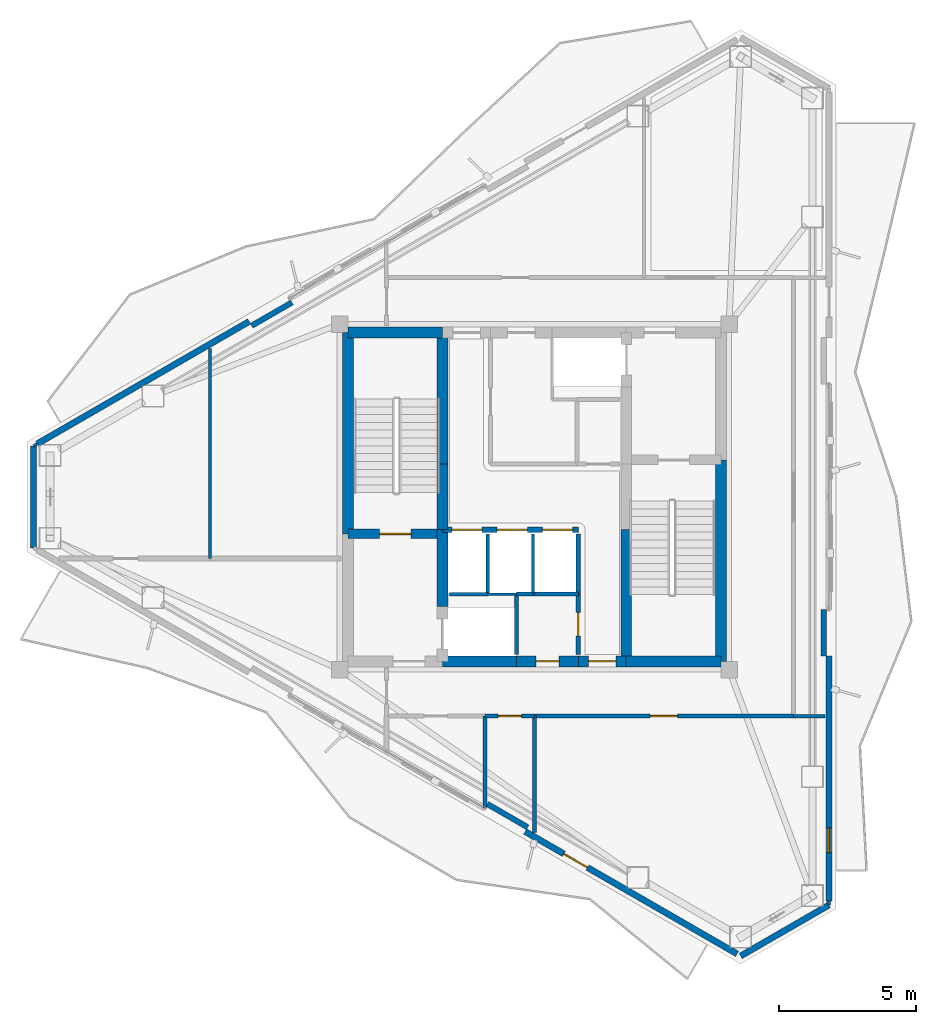
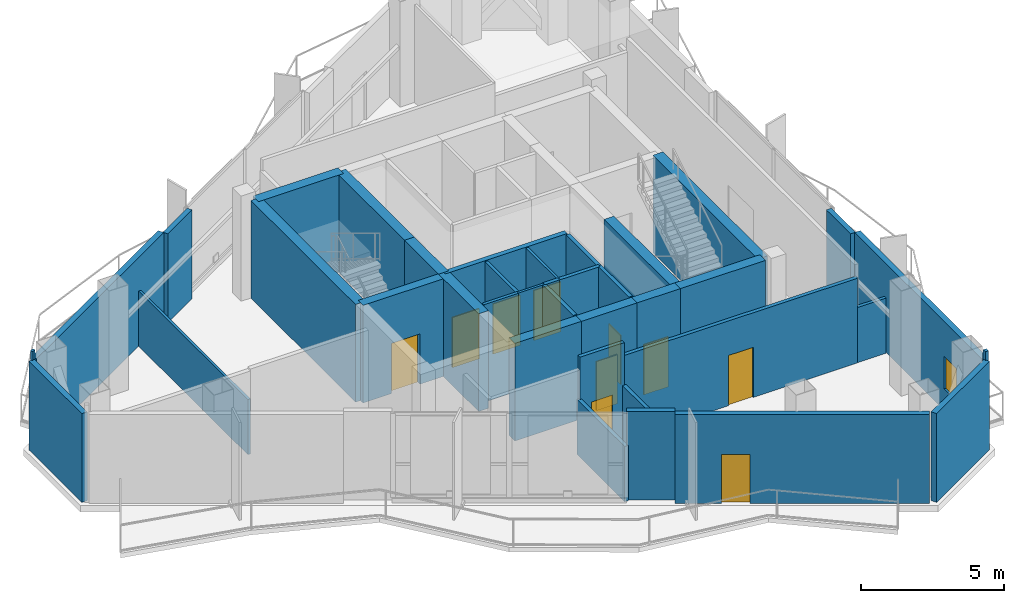
# One storey, part 10 of 14: 38 walls, 10 doors, 1 window, 11 openings.
"""IFC4 building model written with IfcOpenShell, lengths in metres."""

from ifc_helpers import new_model, si_unit, direction, frame, frame_2d, origin, place, context, subcontext, project, spatial, rectangle, extrude, material, layer, layer_set, type_object, element, fill, save


model = new_model("IFC4")

# Units and contexts
model_context = context("Model", 3, precision=1e-05, world=origin(), true_north=direction((0.0, 1.0)))
body_context = subcontext(model_context, "Body", "Model", "MODEL_VIEW")
ifc_project = project(units=[si_unit("LENGTHUNIT", "METRE"), si_unit("AREAUNIT", "SQUARE_METRE"), si_unit("VOLUMEUNIT", "CUBIC_METRE"), si_unit("PLANEANGLEUNIT", "RADIAN"), si_unit("MASSUNIT", "GRAM", prefix="KILO")], contexts=[model_context])

# Site, building, storey
site_placement = place(None, origin())
site = spatial("IfcSite", under=ifc_project, at=site_placement, CompositionType="ELEMENT")
building_placement = place(site_placement, origin())
building = spatial("IfcBuilding", under=site, at=building_placement, Name="Mersakhor Tower and Convention Hall", CompositionType="ELEMENT")
storey_placement = place(building_placement, frame((0.0, 0.0, 254.10009765625)))
storey = spatial("IfcBuildingStorey", under=building, at=storey_placement, Name="L71", CompositionType="ELEMENT", Elevation=254.10009765625)

# Walls
ifc_material_1 = material(Name="Precast concrete C40/50", Category="concrete")
ifc_layer_1 = layer(ifc_material_1, 0.22509765625)
ifc_layer_set_1 = layer_set([ifc_layer_1], Name="Precast concrete C40/50")
wall_type_1 = type_object("IfcWallType", Name="WL-EXT-225", PredefinedType="SOLIDWALL", material=ifc_layer_set_1)
wall_1_placement = place(storey_placement, frame((39.742919921875, 11.858154296875, 0.0), z_axis=(0.0, 0.0, 1.0), x_axis=(-0.866038962515, -0.499976514854, 0.0)))
element("IfcWall", 1, at=wall_1_placement, inside=storey, type_object=wall_type_1, Name="L71 Chamfer Braced Spandrel Wall C2", PredefinedType="SOLIDWALL", context=body_context, shape_type="SweptSolid", body=[
    extrude(rectangle(XDim=3.715576171875, YDim=0.22509765625, at=frame_2d((1.85791015625, 0.0))), origin(), (0.0, 0.0, 1.0), 3.7998046875),
])
wall_2_placement = place(storey_placement, frame((10.73193359375, 24.892333984375, 0.0), z_axis=(0.0, 0.0, 1.0), x_axis=(0.0, 1.0, 0.0)))
element("IfcWall", 2, at=wall_2_placement, inside=storey, type_object=wall_type_1, Name="L71 Chamfer Braced Spandrel Wall C3", PredefinedType="SOLIDWALL", context=body_context, shape_type="SweptSolid", body=[
    extrude(rectangle(XDim=3.71533203125, YDim=0.22509765625, at=frame_2d((1.857666015625, 0.0))), origin(), (0.0, 0.0, 1.0), 3.7998046875),
])
wall_3_placement = place(storey_placement, frame((10.86181640625, 28.6826171875, 0.0), z_axis=(0.0, 0.0, 1.0), x_axis=(0.866026655105, 0.499997832642, 0.0)))
element("IfcWall", 3, at=wall_3_placement, inside=storey, type_object=wall_type_1, Name="L71 Exterior Facade Wall F1-B1", PredefinedType="SOLIDWALL", context=body_context, shape_type="SweptSolid", body=[
    extrude(rectangle(XDim=8.927734375, YDim=0.22509765625, at=frame_2d((4.4638671875, 0.0))), origin(), (0.0, 0.0, 1.0), 3.7998046875),
])

# Wall, opening, window
wall_4_placement = place(storey_placement, frame((39.742919921875, 20.93603515625, 0.0), z_axis=(0.0, 0.0, 1.0), x_axis=(0.0, -1.0, 0.0)))
wall_4 = element("IfcWall", 4, at=wall_4_placement, inside=storey, type_object=wall_type_1, Name="L71 Exterior Facade Wall F2-B3", PredefinedType="SOLIDWALL", context=body_context, shape_type="SweptSolid", body=[
    extrude(rectangle(XDim=8.927734375, YDim=0.22509765625, at=frame_2d((4.4638671875, 0.0))), origin(), (0.0, 0.0, 1.0), 3.7998046875),
])
opening_1_placement = place(wall_4_placement, frame((6.261962890625, 0.0, 0.89990234375)))
opening_1 = element("IfcOpeningElement", 5, at=opening_1_placement, cuts=wall_4, Name="Opening W-06", PredefinedType="OPENING", context=body_context, shape_type="SweptSolid", body=[
    extrude(rectangle(XDim=0.89990234375, YDim=1.39990234375, at=frame_2d((0.449951171875, 0.699951171875))), frame((0.0, 0.12255859375, 0.0), z_axis=(0.0, -1.0, 0.0), x_axis=(1.0, 0.0, 0.0)), (0.0, 0.0, 1.0), 0.2451171875),
])
ifc_material_2 = material(Name="Dark solar low-E glazed aluminium window", Category="aluminium")
window_type = type_object("IfcWindowType", Name="WN-STD-090x140", PartitioningType="SINGLE_PANEL", PredefinedType="WINDOW", material=ifc_material_2)
window_placement = place(opening_1_placement, origin())
window = element("IfcWindow", 6, at=window_placement, inside=storey, type_object=window_type, Name="L71 Facade Punched Window F2-B3", OverallHeight=1.39990234375, OverallWidth=0.89990234375, PartitioningType="SINGLE_PANEL", PredefinedType="WINDOW", context=body_context, shape_type="SweptSolid", body=[
    extrude(rectangle(XDim=0.89990234375, YDim=1.39990234375, at=frame_2d((0.449951171875, 0.699951171875))), frame((0.0, 0.030029296875, 0.0), z_axis=(0.0, -1.0, 0.0), x_axis=(1.0, 0.0, 0.0)), (0.0, 0.0, 1.0), 0.06005859375),
])
fill(opening_1, window)

# Wall, opening, door
wall_5_placement = place(storey_placement, frame((36.395263671875, 10.07568359375, 0.0), z_axis=(0.0, 0.0, 1.0), x_axis=(-0.866026655105, 0.499997832642, 0.0)))
wall_5 = element("IfcWall", 7, at=wall_5_placement, inside=storey, type_object=wall_type_1, Name="L71 Exterior Facade Wall F3-B1", PredefinedType="SOLIDWALL", context=body_context, shape_type="SweptSolid", body=[
    extrude(rectangle(XDim=8.927734375, YDim=0.22509765625, at=frame_2d((4.4638671875, 0.0))), origin(), (0.0, 0.0, 1.0), 3.7998046875),
])
opening_2_placement = place(wall_5_placement, frame((6.302001953125, 0.0, 0.0)))
opening_2 = element("IfcOpeningElement", 8, at=opening_2_placement, cuts=wall_5, Name="Opening BD-01", PredefinedType="OPENING", context=body_context, shape_type="SweptSolid", body=[
    extrude(rectangle(XDim=1.0, YDim=2.10009765625, at=frame_2d((0.5, 1.050048828125))), frame((0.0, 0.12255859375, 0.0), z_axis=(0.0, -1.0, 0.0), x_axis=(1.0, 0.0, 0.0)), (0.0, 0.0, 1.0), 0.2451171875),
])
ifc_material_3 = material(Name="Thermally broken dark aluminium and safety glass", Category="aluminium")
door_type_1 = type_object("IfcDoorType", Name="DR-BAL-100x210", OperationType="NOTDEFINED", PredefinedType="DOOR", material=ifc_material_3)
door_1_placement = place(opening_2_placement, origin())
door_1 = element("IfcDoor", 9, at=door_1_placement, inside=storey, type_object=door_type_1, Name="L71 Balcony Terrace Door F3-B1", OperationType="SINGLE_SWING_LEFT", OverallHeight=2.10009765625, OverallWidth=1.0, PredefinedType="DOOR", context=body_context, shape_type="SweptSolid", body=[
    extrude(rectangle(XDim=1.0, YDim=2.10009765625, at=frame_2d((0.5, 1.050048828125))), frame((0.0, 0.02490234375, 0.0), z_axis=(0.0, -1.0, 0.0), x_axis=(1.0, 0.0, 0.0)), (0.0, 0.0, 1.0), 0.050048828125),
])
fill(opening_2, door_1)

# Walls
ifc_material_4 = material(Name="Precast concrete C40/50", Category="concrete")
ifc_layer_2 = layer(ifc_material_4, 0.199951171875)
ifc_layer_set_2 = layer_set([ifc_layer_2], Name="Precast concrete C40/50")
wall_type_2 = type_object("IfcWallType", Name="WL-PAR-200", PredefinedType="PARAPET", material=ifc_layer_set_2)
wall_6_placement = place(storey_placement, frame((18.68359375, 32.99072265625, 0.0), z_axis=(0.0, 0.0, 1.0), x_axis=(0.866025371046, 0.500000056704, 0.0)))
element("IfcWall", 10, at=wall_6_placement, inside=storey, type_object=wall_type_2, Name="L71 Column Pier Cladding Wall F1-C1", PredefinedType="PARAPET", context=body_context, shape_type="SweptSolid", body=[
    extrude(rectangle(XDim=1.7001953125, YDim=0.199951171875, at=frame_2d((0.85009765625, 0.0))), origin(), (0.0, 0.0, 1.0), 3.7998046875),
])
wall_7_placement = place(storey_placement, frame((39.562744140625, 22.635986328125, 0.0), z_axis=(0.0, 0.0, 1.0), x_axis=(0.0, -1.0, 0.0)))
element("IfcWall", 11, at=wall_7_placement, inside=storey, type_object=wall_type_2, Name="L71 Column Pier Cladding Wall F2-C2", PredefinedType="PARAPET", context=body_context, shape_type="SweptSolid", body=[
    extrude(rectangle(XDim=1.699951171875, YDim=0.199951171875, at=frame_2d((0.85009765625, 0.0))), origin(), (0.0, 0.0, 1.0), 3.7998046875),
])
wall_8_placement = place(storey_placement, frame((28.753662109375, 14.6953125, 0.0), z_axis=(0.0, 0.0, 1.0), x_axis=(-0.866025371046, 0.500000056704, 0.0)))
element("IfcWall", 12, at=wall_8_placement, inside=storey, type_object=wall_type_2, Name="L71 Column Pier Cladding Wall F3-C1", PredefinedType="PARAPET", context=body_context, shape_type="SweptSolid", body=[
    extrude(rectangle(XDim=1.7001953125, YDim=0.199951171875, at=frame_2d((0.85009765625, 0.0))), origin(), (0.0, 0.0, 1.0), 3.7998046875),
])
ifc_material_5 = material(Name="Lightweight gypsum partition", Category="other")
ifc_layer_3 = layer(ifc_material_5, 0.10009765625)
ifc_layer_set_3 = layer_set([ifc_layer_3], Name="Lightweight gypsum partition")
wall_type_3 = type_object("IfcWallType", Name="WL-PRT-100", PredefinedType="PARTITIONING", material=ifc_layer_set_3)
wall_9_placement = place(storey_placement, frame((27.300048828125, 23.199951171875, 0.0), z_axis=(0.0, 0.0, 1.0), x_axis=(1.0, 0.0, 0.0)))
element("IfcWall", 13, at=wall_9_placement, inside=storey, type_object=wall_type_3, Name="L71 Interior Partition Wall P-002", PredefinedType="PARTITIONING", context=body_context, shape_type="SweptSolid", body=[
    extrude(rectangle(XDim=1.050048828125, YDim=0.10009765625, at=frame_2d((0.52490234375, 0.0))), origin(), (0.0, 0.0, 1.0), 4.179931640625),
])
wall_10_placement = place(storey_placement, frame((28.949951171875, 25.39990234375, 0.0), z_axis=(0.0, 0.0, 1.0), x_axis=(0.0, -1.0, 0.0)))
element("IfcWall", 14, at=wall_10_placement, inside=storey, type_object=wall_type_3, Name="L71 Interior Partition Wall P-008", PredefinedType="PARTITIONING", context=body_context, shape_type="SweptSolid", body=[
    extrude(rectangle(XDim=2.199951171875, YDim=0.10009765625, at=frame_2d((1.10009765625, 0.0))), origin(), (0.0, 0.0, 1.0), 4.179931640625),
])
wall_11_placement = place(storey_placement, frame((17.169921875, 32.1669921875, 0.0), z_axis=(0.0, 0.0, 1.0), x_axis=(0.0, -1.0, 0.0)))
element("IfcWall", 15, at=wall_11_placement, inside=storey, type_object=wall_type_3, Name="L71 Interior Partition Wall P-036", PredefinedType="PARTITIONING", context=body_context, shape_type="SweptSolid", body=[
    extrude(rectangle(XDim=7.6669921875, YDim=0.10009765625, at=frame_2d((3.83349609375, 0.0))), origin(), (0.0, 0.0, 1.0), 2.364990234375),
])
wall_12_placement = place(storey_placement, frame((10.73193359375, 28.60791015625, 0.0), z_axis=(0.0, 0.0, 1.0), x_axis=(0.866131372301, 0.499816412211, 0.0)))
element("IfcWall", 16, at=wall_12_placement, inside=storey, type_object=wall_type_3, Name="L71 Interior Partition Wall P-038", PredefinedType="PARTITIONING", context=body_context, shape_type="SweptSolid", body=[
    extrude(rectangle(XDim=0.14990234375, YDim=0.10009765625, at=frame_2d((0.074951171875, 0.0))), origin(), (0.0, 0.0, 1.0), 4.179931640625),
])
ifc_material_6 = material(Name="Gypsum board acoustic partition", Category="other")
ifc_layer_4 = layer(ifc_material_6, 0.125)
ifc_layer_set_4 = layer_set([ifc_layer_4], Name="Gypsum board acoustic partition")
wall_type_4 = type_object("IfcWallType", Name="WL-PRT-125", PredefinedType="PARTITIONING", material=ifc_layer_set_4)
wall_13_placement = place(storey_placement, frame((25.89990234375, 23.199951171875, 0.0), z_axis=(0.0, 0.0, 1.0), x_axis=(1.0, 0.0, 0.0)))
element("IfcWall", 17, at=wall_13_placement, inside=storey, type_object=wall_type_4, Name="L71 Interior Partition Wall P-001", PredefinedType="PARTITIONING", context=body_context, shape_type="SweptSolid", body=[
    extrude(rectangle(XDim=1.400146484375, YDim=0.125, at=frame_2d((0.7001953125, 0.0))), origin(), (0.0, 0.0, 1.0), 4.179931640625),
])
wall_14_placement = place(storey_placement, frame((27.300048828125, 25.39990234375, 0.0), z_axis=(0.0, 0.0, 1.0), x_axis=(0.0, -1.0, 0.0)))
element("IfcWall", 18, at=wall_14_placement, inside=storey, type_object=wall_type_4, Name="L71 Interior Partition Wall P-007", PredefinedType="PARTITIONING", context=body_context, shape_type="SweptSolid", body=[
    extrude(rectangle(XDim=2.199951171875, YDim=0.125, at=frame_2d((1.10009765625, 0.0))), origin(), (0.0, 0.0, 1.0), 4.179931640625),
])
wall_15_placement = place(storey_placement, frame((39.606201171875, 18.75, 0.0), z_axis=(0.0, 0.0, 1.0), x_axis=(-1.0, 0.0, 0.0)))
element("IfcWall", 19, at=wall_15_placement, inside=storey, type_object=wall_type_4, Name="L71 Interior Partition Wall P-033", PredefinedType="PARTITIONING", context=body_context, shape_type="SweptSolid", body=[
    extrude(rectangle(XDim=1.15625, YDim=0.125, at=frame_2d((0.578125, 0.0))), origin(), (0.0, 0.0, 1.0), 2.364990234375),
])
wall_16_placement = place(storey_placement, frame((39.742919921875, 12.00830078125, 0.0), z_axis=(0.0, 0.0, 1.0), x_axis=(0.0, -1.0, 0.0)))
element("IfcWall", 20, at=wall_16_placement, inside=storey, type_object=wall_type_4, Name="L71 Interior Partition Wall P-035", PredefinedType="PARTITIONING", context=body_context, shape_type="SweptSolid", body=[
    extrude(rectangle(XDim=0.150390625, YDim=0.125, at=frame_2d((0.0751953125, 0.0))), origin(), (0.0, 0.0, 1.0), 4.179931640625),
])
ifc_material_7 = material(Name="Fire-rated gypsum board stud partition", Category="other")
ifc_layer_5 = layer(ifc_material_7, 0.14990234375)
ifc_layer_set_5 = layer_set([ifc_layer_5], Name="Fire-rated gypsum board stud partition")
wall_type_5 = type_object("IfcWallType", Name="WL-PRT-150", PredefinedType="PARTITIONING", material=ifc_layer_set_5)
wall_17_placement = place(storey_placement, frame((28.35009765625, 23.199951171875, 0.0), z_axis=(0.0, 0.0, 1.0), x_axis=(0.0, -1.0, 0.0)))
element("IfcWall", 21, at=wall_17_placement, inside=storey, type_object=wall_type_5, Name="L71 Interior Partition Wall P-003", PredefinedType="PARTITIONING", context=body_context, shape_type="SweptSolid", body=[
    extrude(rectangle(XDim=2.199951171875, YDim=0.14990234375, at=frame_2d((1.10009765625, 0.0))), origin(), (0.0, 0.0, 1.0), 4.179931640625),
])
wall_18_placement = place(storey_placement, frame((28.949951171875, 23.199951171875, 0.0), z_axis=(0.0, 0.0, 1.0), x_axis=(-1.0, 0.0, 0.0)))
element("IfcWall", 22, at=wall_18_placement, inside=storey, type_object=wall_type_5, Name="L71 Interior Partition Wall P-009", PredefinedType="PARTITIONING", context=body_context, shape_type="SweptSolid", body=[
    extrude(rectangle(XDim=0.599853515625, YDim=0.14990234375, at=frame_2d((0.2998046875, 0.0))), origin(), (0.0, 0.0, 1.0), 4.179931640625),
])
wall_19_placement = place(storey_placement, frame((30.60009765625, 25.39990234375, 0.0), z_axis=(0.0, 0.0, 1.0), x_axis=(0.0, -1.0, 0.0)))
element("IfcWall", 23, at=wall_19_placement, inside=storey, type_object=wall_type_5, Name="L71 Interior Partition Wall P-010", PredefinedType="PARTITIONING", context=body_context, shape_type="SweptSolid", body=[
    extrude(rectangle(XDim=2.199951171875, YDim=0.14990234375, at=frame_2d((1.10009765625, 0.0))), origin(), (0.0, 0.0, 1.0), 4.179931640625),
])
wall_20_placement = place(storey_placement, frame((30.60009765625, 23.199951171875, 0.0), z_axis=(0.0, 0.0, 1.0), x_axis=(-1.0, 0.0, 0.0)))
element("IfcWall", 24, at=wall_20_placement, inside=storey, type_object=wall_type_5, Name="L71 Interior Partition Wall P-011", PredefinedType="PARTITIONING", context=body_context, shape_type="SweptSolid", body=[
    extrude(rectangle(XDim=1.650146484375, YDim=0.14990234375, at=frame_2d((0.8251953125, 0.0))), origin(), (0.0, 0.0, 1.0), 4.179931640625),
])

# Wall, opening, door
wall_21_placement = place(storey_placement, frame((30.60009765625, 21.0, 0.0), z_axis=(0.0, 0.0, 1.0), x_axis=(0.0, 1.0, 0.0)))
wall_21 = element("IfcWall", 25, at=wall_21_placement, inside=storey, type_object=wall_type_5, Name="L71 Interior Partition Wall P-012", PredefinedType="PARTITIONING", context=body_context, shape_type="SweptSolid", body=[
    extrude(rectangle(XDim=2.199951171875, YDim=0.14990234375, at=frame_2d((1.10009765625, 0.0))), origin(), (0.0, 0.0, 1.0), 4.179931640625),
])
opening_3_placement = place(wall_21_placement, frame((0.675048828125, 0.0, 0.0)))
opening_3 = element("IfcOpeningElement", 26, at=opening_3_placement, cuts=wall_21, Name="Opening SVD-01", PredefinedType="OPENING", context=body_context, shape_type="SweptSolid", body=[
    extrude(rectangle(XDim=0.85009765625, YDim=2.10009765625, at=frame_2d((0.425048828125, 1.050048828125))), frame((0.0, 0.0849609375, 0.0), z_axis=(0.0, -1.0, 0.0), x_axis=(1.0, 0.0, 0.0)), (0.0, 0.0, 1.0), 0.169921875),
])
ifc_material_8 = material(Name="Fire-rated hardwood leaf and painted steel frame", Category="steel")
door_type_2 = type_object("IfcDoorType", Name="DR-INT-SVC-085x210", OperationType="NOTDEFINED", PredefinedType="DOOR", material=ifc_material_8)
door_2_placement = place(opening_3_placement, origin())
door_2 = element("IfcDoor", 27, at=door_2_placement, inside=storey, type_object=door_type_2, Name="L71 Central Passenger Lift Lobby to Electrical Distribution Room Door", OperationType="SINGLE_SWING_RIGHT", OverallHeight=2.10009765625, OverallWidth=0.85009765625, PredefinedType="DOOR", context=body_context, shape_type="SweptSolid", body=[
    extrude(rectangle(XDim=0.85009765625, YDim=2.10009765625, at=frame_2d((0.425048828125, 1.050048828125))), frame((0.0, 0.02490234375, 0.0), z_axis=(0.0, -1.0, 0.0), x_axis=(1.0, 0.0, 0.0)), (0.0, 0.0, 1.0), 0.050048828125),
])
fill(opening_3, door_2)

wall_22_placement = place(storey_placement, frame((38.449951171875, 18.75, 0.0), z_axis=(0.0, 0.0, 1.0), x_axis=(-1.0, 0.0, 0.0)))
wall_22 = element("IfcWall", 28, at=wall_22_placement, inside=storey, type_object=wall_type_5, Name="L71 Interior Partition Wall P-020", PredefinedType="PARTITIONING", context=body_context, shape_type="SweptSolid", body=[
    extrude(rectangle(XDim=9.449951171875, YDim=0.14990234375, at=frame_2d((4.72509765625, 0.0))), origin(), (0.0, 0.0, 1.0), 3.628173828125),
])
opening_4_placement = place(wall_22_placement, frame((4.22509765625, 0.0, 0.0)))
opening_4 = element("IfcOpeningElement", 29, at=opening_4_placement, cuts=wall_22, Name="Opening FD-01", PredefinedType="OPENING", context=body_context, shape_type="SweptSolid", body=[
    extrude(rectangle(XDim=1.0, YDim=2.14990234375, at=frame_2d((0.5, 1.074951171875))), frame((0.0, 0.0849609375, 0.0), z_axis=(0.0, -1.0, 0.0), x_axis=(1.0, 0.0, 0.0)), (0.0, 0.0, 1.0), 0.169921875),
])
ifc_material_9 = material(Name="Fire-rated hardwood leaf and painted steel frame", Category="steel")
door_type_3 = type_object("IfcDoorType", Name="DR-INT-FLT-100x215", OperationType="NOTDEFINED", PredefinedType="DOOR", material=ifc_material_9)
door_3_placement = place(opening_4_placement, origin())
door_3 = element("IfcDoor", 30, at=door_3_placement, inside=storey, type_object=door_type_3, Name="L71 L71 Sky-Lobby Corridor to South Conservatory Reading Pavilion Door", OperationType="SINGLE_SWING_RIGHT", OverallHeight=2.14990234375, OverallWidth=1.0, PredefinedType="DOOR", context=body_context, shape_type="SweptSolid", body=[
    extrude(rectangle(XDim=1.0, YDim=2.14990234375, at=frame_2d((0.5, 1.074951171875))), frame((0.0, 0.02490234375, 0.0), z_axis=(0.0, -1.0, 0.0), x_axis=(1.0, 0.0, 0.0)), (0.0, 0.0, 1.0), 0.050048828125),
])
fill(opening_4, door_3)

wall_23_placement = place(storey_placement, frame((29.0, 18.75, 0.0), z_axis=(0.0, 0.0, 1.0), x_axis=(-1.0, 0.0, 0.0)))
wall_23 = element("IfcWall", 31, at=wall_23_placement, inside=storey, type_object=wall_type_5, Name="L71 Interior Partition Wall P-021", PredefinedType="PARTITIONING", context=body_context, shape_type="SweptSolid", body=[
    extrude(rectangle(XDim=1.800048828125, YDim=0.14990234375, at=frame_2d((0.89990234375, 0.0))), origin(), (0.0, 0.0, 1.0), 4.179931640625),
])
opening_5_placement = place(wall_23_placement, frame((0.47509765625, 0.0, 0.0)))
opening_5 = element("IfcOpeningElement", 32, at=opening_5_placement, cuts=wall_23, Name="Opening SVD-01", PredefinedType="OPENING", context=body_context, shape_type="SweptSolid", body=[
    extrude(rectangle(XDim=0.85009765625, YDim=2.10009765625, at=frame_2d((0.425048828125, 1.050048828125))), frame((0.0, 0.0849609375, 0.0), z_axis=(0.0, -1.0, 0.0), x_axis=(1.0, 0.0, 0.0)), (0.0, 0.0, 1.0), 0.169921875),
])
door_4_placement = place(opening_5_placement, origin())
door_4 = element("IfcDoor", 33, at=door_4_placement, inside=storey, type_object=door_type_2, Name="L71 L71 Sky-Lobby Corridor to Botanical Care and Horticulture Store Door", OperationType="SINGLE_SWING_LEFT", OverallHeight=2.10009765625, OverallWidth=0.85009765625, PredefinedType="DOOR", context=body_context, shape_type="SweptSolid", body=[
    extrude(rectangle(XDim=0.85009765625, YDim=2.10009765625, at=frame_2d((0.425048828125, 1.050048828125))), frame((0.0, 0.02490234375, 0.0), z_axis=(0.0, -1.0, 0.0), x_axis=(1.0, 0.0, 0.0)), (0.0, 0.0, 1.0), 0.050048828125),
])
fill(opening_5, door_4)

# Walls
wall_24_placement = place(storey_placement, frame((27.199951171875, 18.75, 0.0), z_axis=(0.0, 0.0, 1.0), x_axis=(0.0, -1.0, 0.0)))
element("IfcWall", 34, at=wall_24_placement, inside=storey, type_object=wall_type_5, Name="L71 Interior Partition Wall P-024", PredefinedType="PARTITIONING", context=body_context, shape_type="SweptSolid", body=[
    extrude(rectangle(XDim=3.34228515625, YDim=0.14990234375, at=frame_2d((1.671142578125, 0.0))), origin(), (0.0, 0.0, 1.0), 2.364990234375),
])
wall_25_placement = place(storey_placement, frame((29.0, 14.5029296875, 0.0), z_axis=(0.0, 0.0, 1.0), x_axis=(0.0, 1.0, 0.0)))
element("IfcWall", 35, at=wall_25_placement, inside=storey, type_object=wall_type_5, Name="L71 Interior Partition Wall P-034", PredefinedType="PARTITIONING", context=body_context, shape_type="SweptSolid", body=[
    extrude(rectangle(XDim=4.2470703125, YDim=0.14990234375, at=frame_2d((2.12353515625, 0.0))), origin(), (0.0, 0.0, 1.0), 2.364990234375),
])

# Wall, openings, doors
ifc_material_10 = material(Name="Acoustic concrete blockwork and gypsum board", Category="masonry")
ifc_layer_6 = layer(ifc_material_10, 0.199951171875)
ifc_layer_set_6 = layer_set([ifc_layer_6], Name="Acoustic concrete blockwork and gypsum board")
wall_type_6 = type_object("IfcWallType", Name="WL-PRT-200", PredefinedType="PARTITIONING", material=ifc_layer_set_6)
wall_26_placement = place(storey_placement, frame((25.64990234375, 25.550048828125, 0.0), z_axis=(0.0, 0.0, 1.0), x_axis=(1.0, 0.0, 0.0)))
wall_26 = element("IfcWall", 36, at=wall_26_placement, inside=storey, type_object=wall_type_6, Name="L71 High-Rise Lift Bank Front Wall", PredefinedType="PARTITIONING", context=body_context, shape_type="SweptSolid", body=[
    extrude(rectangle(XDim=4.9501953125, YDim=0.199951171875, at=frame_2d((2.47509765625, 0.0))), origin(), (0.0, 0.0, 1.0), 4.179931640625),
])
opening_6_placement = place(wall_26_placement, frame((0.340087890625, 0.0, 0.0)))
opening_6 = element("IfcOpeningElement", 37, at=opening_6_placement, cuts=wall_26, Name="Opening LD-P4", PredefinedType="OPENING", context=body_context, shape_type="SweptSolid", body=[
    extrude(rectangle(XDim=1.10009765625, YDim=2.14990234375, at=frame_2d((0.550048828125, 1.074951171875))), frame((0.0, 0.10986328125, 0.0), z_axis=(0.0, -1.0, 0.0), x_axis=(1.0, 0.0, 0.0)), (0.0, 0.0, 1.0), 0.219970703125),
])
opening_7_placement = place(wall_26_placement, frame((1.989990234375, 0.0, 0.0)))
opening_7 = element("IfcOpeningElement", 38, at=opening_7_placement, cuts=wall_26, Name="Opening LD-P5", PredefinedType="OPENING", context=body_context, shape_type="SweptSolid", body=[
    extrude(rectangle(XDim=1.10009765625, YDim=2.14990234375, at=frame_2d((0.550048828125, 1.074951171875))), frame((0.0, 0.10986328125, 0.0), z_axis=(0.0, -1.0, 0.0), x_axis=(1.0, 0.0, 0.0)), (0.0, 0.0, 1.0), 0.219970703125),
])
opening_8_placement = place(wall_26_placement, frame((3.639892578125, 0.0, 0.0)))
opening_8 = element("IfcOpeningElement", 39, at=opening_8_placement, cuts=wall_26, Name="Opening LD-P6", PredefinedType="OPENING", context=body_context, shape_type="SweptSolid", body=[
    extrude(rectangle(XDim=1.10009765625, YDim=2.14990234375, at=frame_2d((0.550048828125, 1.074951171875))), frame((0.0, 0.10986328125, 0.0), z_axis=(0.0, -1.0, 0.0), x_axis=(1.0, 0.0, 0.0)), (0.0, 0.0, 1.0), 0.219970703125),
])
ifc_material_11 = material(Name="Fire-rated brushed stainless steel sliding landing door", Category="steel")
door_type_4 = type_object("IfcDoorType", Name="DR-LIFT-SLD-110x215", OperationType="NOTDEFINED", PredefinedType="DOOR", material=ifc_material_11)
door_5_placement = place(opening_6_placement, origin())
door_5 = element("IfcDoor", 40, at=door_5_placement, inside=storey, type_object=door_type_4, Name="L71 Lift Landing Door LD-P4", OperationType="SLIDING_TO_LEFT", OverallHeight=2.14990234375, OverallWidth=1.10009765625, PredefinedType="DOOR", context=body_context, shape_type="SweptSolid", body=[
    extrude(rectangle(XDim=1.10009765625, YDim=2.14990234375, at=frame_2d((0.550048828125, 1.074951171875))), frame((0.0, 0.02490234375, 0.0), z_axis=(0.0, -1.0, 0.0), x_axis=(1.0, 0.0, 0.0)), (0.0, 0.0, 1.0), 0.050048828125),
])
fill(opening_6, door_5)
door_6_placement = place(opening_7_placement, origin())
door_6 = element("IfcDoor", 41, at=door_6_placement, inside=storey, type_object=door_type_4, Name="L71 Lift Landing Door LD-P5", OperationType="SLIDING_TO_LEFT", OverallHeight=2.14990234375, OverallWidth=1.10009765625, PredefinedType="DOOR", context=body_context, shape_type="SweptSolid", body=[
    extrude(rectangle(XDim=1.10009765625, YDim=2.14990234375, at=frame_2d((0.550048828125, 1.074951171875))), frame((0.0, 0.02490234375, 0.0), z_axis=(0.0, -1.0, 0.0), x_axis=(1.0, 0.0, 0.0)), (0.0, 0.0, 1.0), 0.050048828125),
])
fill(opening_7, door_6)
door_7_placement = place(opening_8_placement, origin())
door_7 = element("IfcDoor", 42, at=door_7_placement, inside=storey, type_object=door_type_4, Name="L71 Lift Landing Door LD-P6", OperationType="SLIDING_TO_LEFT", OverallHeight=2.14990234375, OverallWidth=1.10009765625, PredefinedType="DOOR", context=body_context, shape_type="SweptSolid", body=[
    extrude(rectangle(XDim=1.10009765625, YDim=2.14990234375, at=frame_2d((0.550048828125, 1.074951171875))), frame((0.0, 0.02490234375, 0.0), z_axis=(0.0, -1.0, 0.0), x_axis=(1.0, 0.0, 0.0)), (0.0, 0.0, 1.0), 0.050048828125),
])
fill(opening_8, door_7)

# Wall, opening, door
ifc_material_12 = material(Name="Concrete C50/60", Category="concrete")
ifc_layer_7 = layer(ifc_material_12, 0.35009765625)
ifc_layer_set_7 = layer_set([ifc_layer_7], Name="Concrete C50/60")
wall_type_7 = type_object("IfcWallType", Name="WL-SHR-350", PredefinedType="SHEAR", material=ifc_layer_set_7)
wall_27_placement = place(storey_placement, frame((22.199951171875, 25.39990234375, 0.0), z_axis=(0.0, 0.0, 1.0), x_axis=(1.0, 0.0, 0.0)))
wall_27 = element("IfcWall", 43, at=wall_27_placement, inside=storey, type_object=wall_type_7, Name="L71 Core Wall CS-ST1-S", PredefinedType="SHEAR", context=body_context, shape_type="SweptSolid", body=[
    extrude(rectangle(XDim=3.449951171875, YDim=0.35009765625, at=frame_2d((1.72509765625, 0.0))), origin(), (0.0, 0.0, 1.0), 4.179931640625),
])
opening_9_placement = place(wall_27_placement, frame((1.14990234375, 0.0, 0.0)))
opening_9 = element("IfcOpeningElement", 44, at=opening_9_placement, cuts=wall_27, Name="Opening SD-01", PredefinedType="OPENING", context=body_context, shape_type="SweptSolid", body=[
    extrude(rectangle(XDim=1.14990234375, YDim=2.14990234375, at=frame_2d((0.574951171875, 1.074951171875))), frame((0.0, 0.18505859375, 0.0), z_axis=(0.0, -1.0, 0.0), x_axis=(1.0, 0.0, 0.0)), (0.0, 0.0, 1.0), 0.3701171875),
])
ifc_material_13 = material(Name="Fire-rated hardwood leaf and painted steel frame", Category="steel")
door_type_5 = type_object("IfcDoorType", Name="DR-INT-STAIR-115x215", OperationType="NOTDEFINED", PredefinedType="DOOR", material=ifc_material_13)
door_8_placement = place(opening_9_placement, origin())
door_8 = element("IfcDoor", 45, at=door_8_placement, inside=storey, type_object=door_type_5, Name="L71 Exit Stair ST-1 Enclosure Door", OperationType="SINGLE_SWING_LEFT", OverallHeight=2.14990234375, OverallWidth=1.14990234375, PredefinedType="DOOR", context=body_context, shape_type="SweptSolid", body=[
    extrude(rectangle(XDim=1.14990234375, YDim=2.14990234375, at=frame_2d((0.574951171875, 1.074951171875))), frame((0.0, 0.02490234375, 0.0), z_axis=(0.0, -1.0, 0.0), x_axis=(1.0, 0.0, 0.0)), (0.0, 0.0, 1.0), 0.050048828125),
])
fill(opening_9, door_8)

# Walls
ifc_material_14 = material(Name="Concrete C60/75", Category="concrete")
ifc_layer_8 = layer(ifc_material_14, 0.39990234375)
ifc_layer_set_8 = layer_set([ifc_layer_8], Name="Concrete C60/75")
wall_type_8 = type_object("IfcWallType", Name="WL-SHR-400", PredefinedType="SHEAR", material=ifc_layer_set_8)
wall_28_placement = place(storey_placement, frame((22.199951171875, 25.39990234375, 0.0), z_axis=(0.0, 0.0, 1.0), x_axis=(0.0, 1.0, 0.0)))
element("IfcWall", 46, at=wall_28_placement, inside=storey, type_object=wall_type_8, Name="L71 Core Wall CW-W2", PredefinedType="SHEAR", context=body_context, shape_type="SweptSolid", body=[
    extrude(rectangle(XDim=7.35009765625, YDim=0.39990234375, at=frame_2d((3.675048828125, 0.0))), origin(), (0.0, 0.0, 1.0), 4.179931640625),
])
wall_29_placement = place(storey_placement, frame((22.199951171875, 32.75, 0.0), z_axis=(0.0, 0.0, 1.0), x_axis=(1.0, 0.0, 0.0)))
element("IfcWall", 47, at=wall_29_placement, inside=storey, type_object=wall_type_8, Name="L71 Core Wall CW-N1", PredefinedType="SHEAR", context=body_context, shape_type="SweptSolid", body=[
    extrude(rectangle(XDim=3.449951171875, YDim=0.39990234375, at=frame_2d((1.72509765625, 0.0))), origin(), (0.0, 0.0, 1.0), 4.179931640625),
])
wall_30_placement = place(storey_placement, frame((35.800048828125, 28.10009765625, 0.0), z_axis=(0.0, 0.0, 1.0), x_axis=(0.0, -1.0, 0.0)))
element("IfcWall", 48, at=wall_30_placement, inside=storey, type_object=wall_type_8, Name="L71 Core Wall CW-E2", PredefinedType="SHEAR", context=body_context, shape_type="SweptSolid", body=[
    extrude(rectangle(XDim=7.35009765625, YDim=0.39990234375, at=frame_2d((3.675048828125, 0.0))), origin(), (0.0, 0.0, 1.0), 4.179931640625),
])
wall_31_placement = place(storey_placement, frame((35.800048828125, 20.75, 0.0), z_axis=(0.0, 0.0, 1.0), x_axis=(-1.0, 0.0, 0.0)))
element("IfcWall", 49, at=wall_31_placement, inside=storey, type_object=wall_type_8, Name="L71 Core Wall CW-S1", PredefinedType="SHEAR", context=body_context, shape_type="SweptSolid", body=[
    extrude(rectangle(XDim=3.449951171875, YDim=0.39990234375, at=frame_2d((1.72509765625, 0.0))), origin(), (0.0, 0.0, 1.0), 4.179931640625),
])

# Wall, opening, door
wall_32_placement = place(storey_placement, frame((32.35009765625, 20.75, 0.0), z_axis=(0.0, 0.0, 1.0), x_axis=(-1.0, 0.0, 0.0)))
wall_32 = element("IfcWall", 50, at=wall_32_placement, inside=storey, type_object=wall_type_8, Name="L71 Core Wall CW-S2A", PredefinedType="SHEAR", context=body_context, shape_type="SweptSolid", body=[
    extrude(rectangle(XDim=1.75, YDim=0.39990234375, at=frame_2d((0.875, 0.0))), origin(), (0.0, 0.0, 1.0), 4.179931640625),
])
opening_10_placement = place(wall_32_placement, frame((0.375, 0.0, 0.0)))
opening_10 = element("IfcOpeningElement", 51, at=opening_10_placement, cuts=wall_32, Name="Opening CFD-01", PredefinedType="OPENING", context=body_context, shape_type="SweptSolid", body=[
    extrude(rectangle(XDim=1.0, YDim=2.14990234375, at=frame_2d((0.5, 1.074951171875))), frame((0.0, 0.2099609375, 0.0), z_axis=(0.0, -1.0, 0.0), x_axis=(1.0, 0.0, 0.0)), (0.0, 0.0, 1.0), 0.419921875),
])
ifc_material_15 = material(Name="Fire-rated hardwood leaf and painted steel frame", Category="steel")
door_type_6 = type_object("IfcDoorType", Name="DR-CORE-FD-100x215", OperationType="NOTDEFINED", PredefinedType="DOOR", material=ifc_material_15)
door_9_placement = place(opening_10_placement, origin())
door_9 = element("IfcDoor", 52, at=door_9_placement, inside=storey, type_object=door_type_6, Name="L71 Lift Lobby South Corridor Door", OperationType="SINGLE_SWING_RIGHT", OverallHeight=2.14990234375, OverallWidth=1.0, PredefinedType="DOOR", context=body_context, shape_type="SweptSolid", body=[
    extrude(rectangle(XDim=1.0, YDim=2.14990234375, at=frame_2d((0.5, 1.074951171875))), frame((0.0, 0.02490234375, 0.0), z_axis=(0.0, -1.0, 0.0), x_axis=(1.0, 0.0, 0.0)), (0.0, 0.0, 1.0), 0.050048828125),
])
fill(opening_10, door_9)

wall_33_placement = place(storey_placement, frame((30.60009765625, 20.75, 0.0), z_axis=(0.0, 0.0, 1.0), x_axis=(-1.0, 0.0, 0.0)))
wall_33 = element("IfcWall", 53, at=wall_33_placement, inside=storey, type_object=wall_type_8, Name="L71 Core Wall CW-S2B", PredefinedType="SHEAR", context=body_context, shape_type="SweptSolid", body=[
    extrude(rectangle(XDim=2.25, YDim=0.39990234375, at=frame_2d((1.125, 0.0))), origin(), (0.0, 0.0, 1.0), 4.179931640625),
])
opening_11_placement = place(wall_33_placement, frame((0.699951171875, 0.0, 0.0)))
opening_11 = element("IfcOpeningElement", 54, at=opening_11_placement, cuts=wall_33, Name="Opening SVD-01", PredefinedType="OPENING", context=body_context, shape_type="SweptSolid", body=[
    extrude(rectangle(XDim=0.85009765625, YDim=2.10009765625, at=frame_2d((0.425048828125, 1.050048828125))), frame((0.0, 0.2099609375, 0.0), z_axis=(0.0, -1.0, 0.0), x_axis=(1.0, 0.0, 0.0)), (0.0, 0.0, 1.0), 0.419921875),
])
door_10_placement = place(opening_11_placement, origin())
door_10 = element("IfcDoor", 55, at=door_10_placement, inside=storey, type_object=door_type_2, Name="L71 L71 Sky-Lobby Corridor to Electrical Distribution Room Door", OperationType="SINGLE_SWING_RIGHT", OverallHeight=2.10009765625, OverallWidth=0.85009765625, PredefinedType="DOOR", context=body_context, shape_type="SweptSolid", body=[
    extrude(rectangle(XDim=0.85009765625, YDim=2.10009765625, at=frame_2d((0.425048828125, 1.050048828125))), frame((0.0, 0.02490234375, 0.0), z_axis=(0.0, -1.0, 0.0), x_axis=(1.0, 0.0, 0.0)), (0.0, 0.0, 1.0), 0.050048828125),
])
fill(opening_11, door_10)

# Walls
wall_34_placement = place(storey_placement, frame((28.35009765625, 20.75, 0.0), z_axis=(0.0, 0.0, 1.0), x_axis=(-1.0, 0.0, 0.0)))
element("IfcWall", 56, at=wall_34_placement, inside=storey, type_object=wall_type_8, Name="L71 Core Wall CW-S3", PredefinedType="SHEAR", context=body_context, shape_type="SweptSolid", body=[
    extrude(rectangle(XDim=2.7001953125, YDim=0.39990234375, at=frame_2d((1.35009765625, 0.0))), origin(), (0.0, 0.0, 1.0), 4.179931640625),
])
wall_35_placement = place(storey_placement, frame((25.64990234375, 22.75, 0.0), z_axis=(0.0, 0.0, 1.0), x_axis=(0.0, 1.0, 0.0)))
element("IfcWall", 57, at=wall_35_placement, inside=storey, type_object=wall_type_8, Name="L71 Core Wall CS-W-MID", PredefinedType="SHEAR", context=body_context, shape_type="SweptSolid", body=[
    extrude(rectangle(XDim=2.800048828125, YDim=0.39990234375, at=frame_2d((1.39990234375, 0.0))), origin(), (0.0, 0.0, 1.0), 4.179931640625),
])
wall_36_placement = place(storey_placement, frame((25.64990234375, 25.550048828125, 0.0), z_axis=(0.0, 0.0, 1.0), x_axis=(0.0, 1.0, 0.0)))
element("IfcWall", 58, at=wall_36_placement, inside=storey, type_object=wall_type_8, Name="L71 Core Wall CS-W-LOB", PredefinedType="SHEAR", context=body_context, shape_type="SweptSolid", body=[
    extrude(rectangle(XDim=2.39990234375, YDim=0.39990234375, at=frame_2d((1.199951171875, 0.0))), origin(), (0.0, 0.0, 1.0), 4.179931640625),
])
for number, where, z_axis, x_axis, name in (
    (59, (25.64990234375, 27.949951171875, 0.0), (0.0, 0.0, 1.0), (0.0, 1.0, 0.0), "L71 Core Wall CS-W-ST1"),
    (60, (32.35009765625, 20.75, 0.0), (0.0, 0.0, 1.0), (0.0, 1.0, 0.0), "L71 Core Wall CS-E-ST2"),
):
    element("IfcWall", number, at=place(storey_placement, frame(where, z_axis=z_axis, x_axis=x_axis)), inside=storey, type_object=wall_type_8, Name=name, PredefinedType="SHEAR", context=body_context, shape_type="SweptSolid", body=[
        extrude(rectangle(XDim=4.800048828125, YDim=0.39990234375, at=frame_2d((2.39990234375, 0.0))), origin(), (0.0, 0.0, 1.0), 4.179931640625),
    ])

save(model, "model.ifc")
